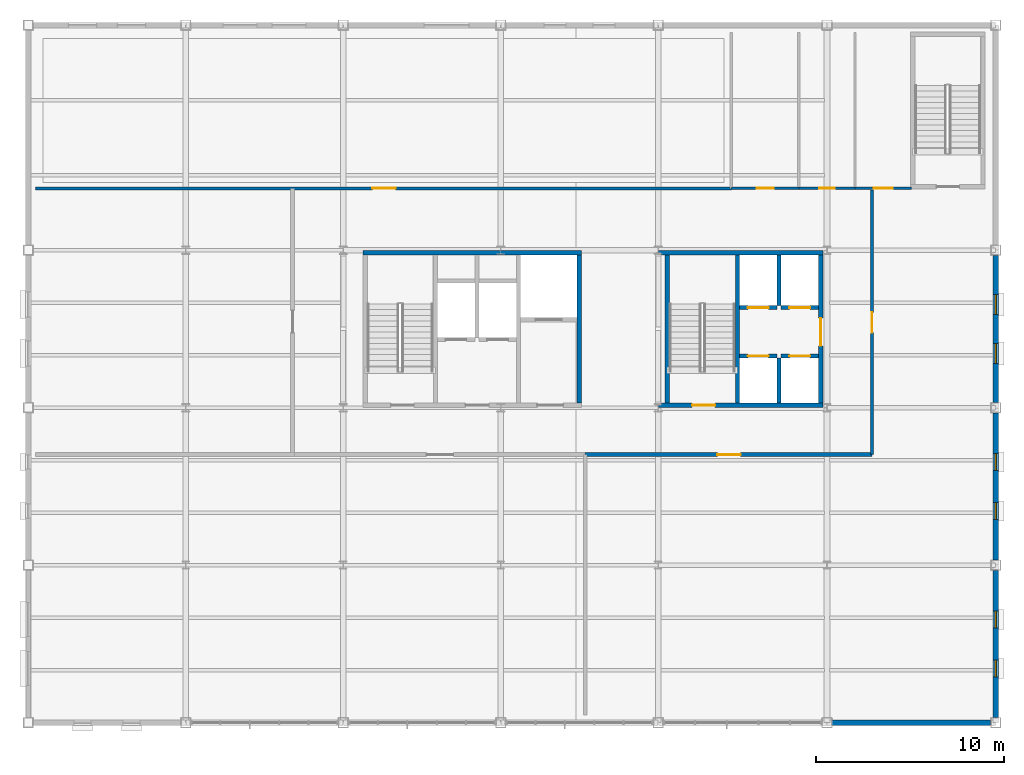
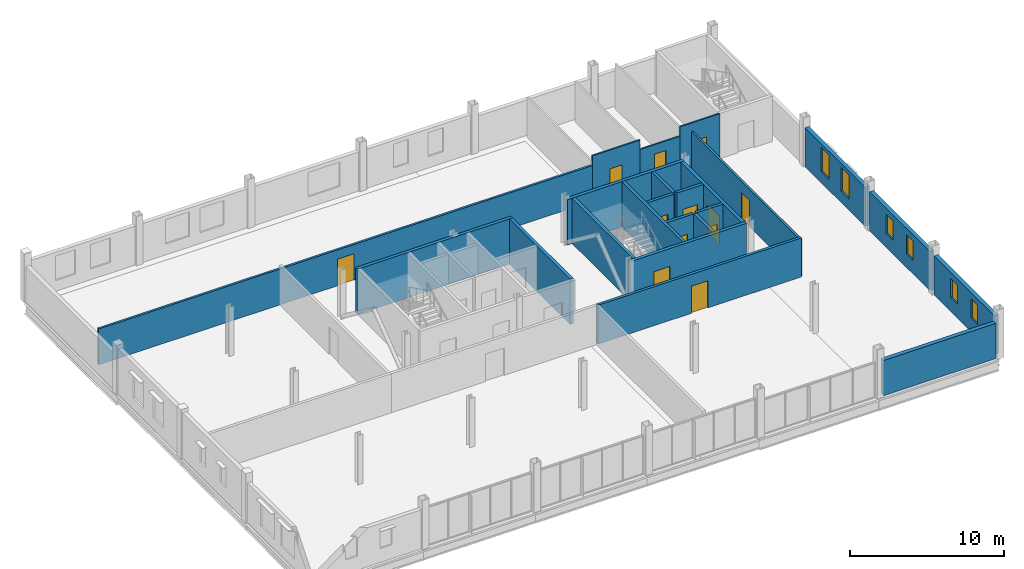
# One storey, part 13 of 17: 23 walls, 12 doors, 6 windows, 18 openings.
"""IFC4 building model written with IfcOpenShell, lengths in metres."""

import ifcopenshell
import ifcopenshell.guid

model = None  # the IFC model being written
_history = None  # IfcOwnerHistory: only IFC2X3 demands one
_inside = {}  # id of a spatial element -> (the spatial element, [elements in it])
_under = {}  # id of a project, library or spatial element -> (it, [spatial elements below it])
_declared = {}  # id of a project -> (the project, [libraries it declares])
_typed = {}  # id of a type object -> (the type object, [elements of that type])
_made_of = {}  # id of a material, layer set ... -> (it, [elements and type objects made of it])


def new_model(schema):
    """Start an empty IFC model of exactly this schema.

    Asked for "IFC4X3", IfcOpenShell would pick the latest addendum, in which some entities
    have other attributes; the version numbers below select the first issue.
    IFC2X3 requires an IfcOwnerHistory on every rooted entity: one is made here for all.
    """
    global model, _history
    if schema == "IFC4X3":
        model = ifcopenshell.file(schema_version=(4, 3, 0, 0))
    else:
        model = ifcopenshell.file(schema=schema)
    _inside.clear()
    _under.clear()
    _declared.clear()
    _typed.clear()
    _made_of.clear()
    _history = None
    if model.schema == "IFC2X3":
        org = make("IfcOrganization", Name="unknown")
        user = make(
            "IfcPersonAndOrganization",
            ThePerson=make("IfcPerson", FamilyName="unknown"),
            TheOrganization=org,
        )
        app = make(
            "IfcApplication",
            ApplicationDeveloper=org,
            Version="unknown",
            ApplicationFullName="unknown",
            ApplicationIdentifier="unknown",
        )
        _history = make(
            "IfcOwnerHistory",
            OwningUser=user,
            OwningApplication=app,
            ChangeAction="ADDED",
            CreationDate=0,
        )
    return model


def make(cls, **values):
    """One entity of the class cls with the attributes given. An attribute that is None is left unset."""
    return model.create_entity(
        cls, **{name: value for name, value in values.items() if value is not None}
    )


def rooted(cls, **values):
    """An entity with a GlobalId (a new one), such as an element, a storey or a relation."""
    return make(cls, GlobalId=ifcopenshell.guid.new(), OwnerHistory=_history, **values)


def si_unit(unit_type, name, prefix=None):
    """IfcSIUnit, for example si_unit("LENGTHUNIT", "METRE", prefix="MILLI")."""
    return make("IfcSIUnit", UnitType=unit_type, Prefix=prefix, Name=name)


def assignment(units):
    """IfcUnitAssignment: the units of a project."""
    return None if units is None else make("IfcUnitAssignment", Units=units)


def point(xyz):
    """IfcCartesianPoint."""
    return None if xyz is None else make("IfcCartesianPoint", Coordinates=xyz)


def direction(xyz):
    """IfcDirection."""
    return None if xyz is None else make("IfcDirection", DirectionRatios=xyz)


def frame(location, z_axis=None, x_axis=None):
    """IfcAxis2Placement3D, a coordinate frame: its origin and axes. An axis left out is left unset."""
    return make(
        "IfcAxis2Placement3D",
        Location=point(location),
        Axis=direction(z_axis),
        RefDirection=direction(x_axis),
    )


def frame_2d(location, x_axis=None):
    """IfcAxis2Placement2D, a coordinate frame in the plane: its origin and x axis."""
    return make(
        "IfcAxis2Placement2D", Location=point(location), RefDirection=direction(x_axis)
    )


def origin():
    """The frame at (0, 0, 0) with its axes left unset."""
    return frame((0.0, 0.0, 0.0))


def place(relative_to, where):
    """IfcLocalPlacement: puts the frame where relative to a parent placement (None: the world)."""
    return make(
        "IfcLocalPlacement", PlacementRelTo=relative_to, RelativePlacement=where
    )


def context(
    kind, dimensions, precision=None, world=None, true_north=None, identifier=None
):
    """IfcGeometricRepresentationContext, for example the 3D "Model" context."""
    return make(
        "IfcGeometricRepresentationContext",
        ContextIdentifier=identifier,
        ContextType=kind,
        CoordinateSpaceDimension=dimensions,
        Precision=precision,
        WorldCoordinateSystem=world,
        TrueNorth=true_north,
    )


def subcontext(parent, identifier, kind, view, scale=None):
    """IfcGeometricRepresentationSubContext, for example "Body" below "Model"."""
    return make(
        "IfcGeometricRepresentationSubContext",
        ContextIdentifier=identifier,
        ContextType=kind,
        ParentContext=parent,
        TargetScale=scale,
        TargetView=view,
    )


def project(units=None, contexts=None):
    """IfcProject with its units and contexts."""
    return rooted(
        "IfcProject",
        Name="project",
        RepresentationContexts=contexts,
        UnitsInContext=assignment(units),
    )


def spatial(cls, under=None, at=None, **own):
    """A site, building, storey or space (cls), placed at a placement, below another one or the project."""
    s = rooted(cls, ObjectPlacement=at, **own)
    if under is not None:
        _under.setdefault(under.id(), (under, []))[1].append(s)
    return s


def profile(cls, at=None, kind="AREA", **sizes):
    """A parametric profile (cls). Its sizes go by their IFC names, for example OverallWidth=200.0."""
    return make(cls, ProfileType=kind, Position=at, **sizes)


def rectangle(**sizes):
    """IfcRectangleProfileDef."""
    return profile("IfcRectangleProfileDef", **sizes)


def extrude(swept, where, along, depth):
    """IfcExtrudedAreaSolid: the profile swept, set in the frame where, extruded along a direction by depth."""
    return make(
        "IfcExtrudedAreaSolid",
        SweptArea=swept,
        Position=where,
        ExtrudedDirection=direction(along),
        Depth=depth,
    )


def shape(context_of_items, identifier, shape_type, items):
    """IfcShapeRepresentation: the items that make up one representation, for example the "Body"."""
    return make(
        "IfcShapeRepresentation",
        ContextOfItems=context_of_items,
        RepresentationIdentifier=identifier,
        RepresentationType=shape_type,
        Items=items,
    )


def material(Name=None, Category=None):
    """IfcMaterial."""
    return make("IfcMaterial", Name=Name, Category=Category)


def layer(
    of_material, thickness, ventilated=None, Name=None, Category=None, Priority=None
):
    """IfcMaterialLayer: one layer of a wall or slab, of a material (None: an air gap)."""
    return make(
        "IfcMaterialLayer",
        Material=of_material,
        LayerThickness=thickness,
        IsVentilated=ventilated,
        Name=Name,
        Category=Category,
        Priority=Priority,
    )


def layer_set(layers, Name=None):
    """IfcMaterialLayerSet."""
    return make("IfcMaterialLayerSet", MaterialLayers=layers, LayerSetName=Name)


def made_of(thing, what):
    """Note that an element or type object is made of a material, layer set ...; save() writes the relation."""
    if what is not None:
        _made_of.setdefault(what.id(), (what, []))[1].append(thing)
    return thing


def type_object(cls, material=None, **own):
    """A type object (cls), such as IfcWallType, which elements share."""
    return made_of(rooted(cls, **own), material)


def element(
    cls,
    number,
    at=None,
    inside=None,
    cuts=None,
    type_object=None,
    material=None,
    context=None,
    identifier="Body",
    shape_type=None,
    held_by="IfcProductDefinitionShape",
    body=None,
    shapes=None,
    **own,
):
    """One element of the class cls, such as IfcWall. Its Tag is "e" and its number.

    at: its placement. inside: the storey or other place that contains it. cuts: it is an
    opening in that element (IfcRelVoidsElement). A single representation is given by context,
    identifier, shape_type and body (its items); several are given by shapes. held_by: the class
    of the entity that holds the representations. save() writes the other relations.
    """
    e = rooted(cls, Tag="e%d" % number, ObjectPlacement=at, **own)
    if body is not None:
        shapes = [shape(context, identifier, shape_type, body)]
    if shapes is not None:
        e.Representation = make(held_by, Representations=shapes)
    if inside is not None:
        _inside.setdefault(inside.id(), (inside, []))[1].append(e)
    if cuts is not None:
        rooted(
            "IfcRelVoidsElement", RelatingBuildingElement=cuts, RelatedOpeningElement=e
        )
    if type_object is not None:
        _typed.setdefault(type_object.id(), (type_object, []))[1].append(e)
    return made_of(e, material)


def fill(opening, filler):
    """IfcRelFillsElement: the door or window that sits in an opening."""
    return rooted(
        "IfcRelFillsElement",
        RelatingOpeningElement=opening,
        RelatedBuildingElement=filler,
    )


def aggregate(whole, parts):
    """IfcRelAggregates: a whole, such as a stair, and the parts it consists of."""
    return rooted("IfcRelAggregates", RelatingObject=whole, RelatedObjects=parts)


def save(model, path):
    """Write the relations noted so far, then the file.

    IfcRelAggregates (storeys below a building ...), IfcRelContainedInSpatialStructure (elements
    in a storey), IfcRelDefinesByType, IfcRelAssociatesMaterial and IfcRelDeclares: one each for
    every whole, place, type object, material and project.
    """
    for whole, parts in _under.values():
        aggregate(whole, parts)
    for where, things in _inside.values():
        rooted(
            "IfcRelContainedInSpatialStructure",
            RelatedElements=things,
            RelatingStructure=where,
        )
    for kind, things in _typed.values():
        rooted("IfcRelDefinesByType", RelatedObjects=things, RelatingType=kind)
    for what, things in _made_of.values():
        rooted("IfcRelAssociatesMaterial", RelatedObjects=things, RelatingMaterial=what)
    for by, libraries in _declared.values():
        rooted("IfcRelDeclares", RelatingContext=by, RelatedDefinitions=libraries)
    model.write(path)


model = new_model("IFC4")

# Units and contexts
model_context = context("Model", 3, precision=1e-05, world=origin(), true_north=direction((0.0, 1.0)))
body_context = subcontext(model_context, "Body", "Model", "MODEL_VIEW")
ifc_project = project(units=[si_unit("LENGTHUNIT", "METRE"), si_unit("AREAUNIT", "SQUARE_METRE"), si_unit("VOLUMEUNIT", "CUBIC_METRE"), si_unit("PLANEANGLEUNIT", "RADIAN"), si_unit("MASSUNIT", "GRAM", prefix="KILO")], contexts=[model_context])

# Site, building, storey
site_placement = place(None, origin())
site = spatial("IfcSite", under=ifc_project, at=site_placement, CompositionType="ELEMENT")
building_placement = place(site_placement, origin())
building = spatial("IfcBuilding", under=site, at=building_placement, Name="Yukiwa Park Conservatory and Herbarium", CompositionType="ELEMENT")
storey_placement = place(building_placement, frame((0.0, 0.0, 17.10009765625)))
storey = spatial("IfcBuildingStorey", under=building, at=storey_placement, Name="L04", CompositionType="ELEMENT", Elevation=17.10009765625)

# Walls
ifc_material_1 = material(Name="Concrete C40", Category="concrete")
ifc_layer_1 = layer(ifc_material_1, 0.219970703125)
ifc_layer_set_1 = layer_set([ifc_layer_1], Name="Concrete C40")
wall_type_1 = type_object("IfcWallType", Name="WL-CORE-RC220", PredefinedType="SHEAR", material=ifc_layer_set_1)
wall_1_placement = place(storey_placement, frame((154.219970703125, 95.050048828125, 0.0), z_axis=(0.0, 0.0, 1.0), x_axis=(0.0, 1.0, 0.0)))
element("IfcWall", 1, at=wall_1_placement, inside=storey, type_object=wall_type_1, Name="L04 core shear wall 361", PredefinedType="SHEAR", context=body_context, shape_type="SweptSolid", body=[
    extrude(rectangle(XDim=7.89990234375, YDim=0.219970703125, at=frame_2d((3.949951171875, 0.0))), origin(), (0.0, 0.0, 1.0), 3.599853515625),
])
wall_2_placement = place(storey_placement, frame((156.43994140625, 100.25, 0.0), z_axis=(0.0, 0.0, 1.0), x_axis=(0.0, 1.0, 0.0)))
element("IfcWall", 2, at=wall_2_placement, inside=storey, type_object=wall_type_1, Name="L04 core shear wall 363", PredefinedType="SHEAR", context=body_context, shape_type="SweptSolid", body=[
    extrude(rectangle(XDim=2.699951171875, YDim=0.219970703125, at=frame_2d((1.35009765625, 0.0))), origin(), (0.0, 0.0, 1.0), 3.599853515625),
])

# Wall, opening, door
wall_3_placement = place(storey_placement, frame((154.330078125, 100.139892578125, 0.0), z_axis=(0.0, 0.0, 1.0), x_axis=(1.0, 0.0, 0.0)))
wall_3 = element("IfcWall", 3, at=wall_3_placement, inside=storey, type_object=wall_type_1, Name="L04 core shear wall 364", PredefinedType="SHEAR", context=body_context, shape_type="SweptSolid", body=[
    extrude(rectangle(XDim=2.0, YDim=0.219970703125, at=frame_2d((1.0, 0.0))), origin(), (0.0, 0.0, 1.0), 3.599853515625),
])
opening_1_placement = place(wall_3_placement, frame((0.449951171875, 0.0, 0.0)))
opening_1 = element("IfcOpeningElement", 4, at=opening_1_placement, cuts=wall_3, Name="Opening LD-01", PredefinedType="OPENING", context=body_context, shape_type="SweptSolid", body=[
    extrude(rectangle(XDim=1.10009765625, YDim=2.14990234375, at=frame_2d((0.550048828125, 1.074951171875))), frame((0.0, 0.1201171875, 0.0), z_axis=(0.0, -1.0, 0.0), x_axis=(1.0, 0.0, 0.0)), (0.0, 0.0, 1.0), 0.239990234375),
])
ifc_material_2 = material(Name="Steel Q235B", Category="steel")
door_type_1 = type_object("IfcDoorType", Name="DR-LIFT-LD1100", OperationType="SLIDING_TO_LEFT", PredefinedType="DOOR", material=ifc_material_2)
door_1_placement = place(opening_1_placement, origin())
door_1 = element("IfcDoor", 5, at=door_1_placement, inside=storey, type_object=door_type_1, Name="L04 Passenger Lift LP1 sliding landing door", OperationType="SLIDING_TO_LEFT", OverallHeight=2.14990234375, OverallWidth=1.10009765625, PredefinedType="DOOR", context=body_context, shape_type="SweptSolid", body=[
    extrude(rectangle(XDim=1.10009765625, YDim=2.14990234375, at=frame_2d((0.550048828125, 1.074951171875))), frame((0.0, 0.02490234375, 0.0), z_axis=(0.0, -1.0, 0.0), x_axis=(1.0, 0.0, 0.0)), (0.0, 0.0, 1.0), 0.050048828125),
])
fill(opening_1, door_1)

wall_4_placement = place(storey_placement, frame((156.550048828125, 100.139892578125, 0.0), z_axis=(0.0, 0.0, 1.0), x_axis=(1.0, 0.0, 0.0)))
wall_4 = element("IfcWall", 6, at=wall_4_placement, inside=storey, type_object=wall_type_1, Name="L04 core shear wall 365", PredefinedType="SHEAR", context=body_context, shape_type="SweptSolid", body=[
    extrude(rectangle(XDim=2.0, YDim=0.219970703125, at=frame_2d((1.0, 0.0))), origin(), (0.0, 0.0, 1.0), 3.599853515625),
])
opening_2_placement = place(wall_4_placement, frame((0.449951171875, 0.0, 0.0)))
opening_2 = element("IfcOpeningElement", 7, at=opening_2_placement, cuts=wall_4, Name="Opening LD-01", PredefinedType="OPENING", context=body_context, shape_type="SweptSolid", body=[
    extrude(rectangle(XDim=1.10009765625, YDim=2.14990234375, at=frame_2d((0.550048828125, 1.074951171875))), frame((0.0, 0.1201171875, 0.0), z_axis=(0.0, -1.0, 0.0), x_axis=(1.0, 0.0, 0.0)), (0.0, 0.0, 1.0), 0.239990234375),
])
door_2_placement = place(opening_2_placement, origin())
door_2 = element("IfcDoor", 8, at=door_2_placement, inside=storey, type_object=door_type_1, Name="L04 Passenger Lift LP2 sliding landing door", OperationType="SLIDING_TO_LEFT", OverallHeight=2.14990234375, OverallWidth=1.10009765625, PredefinedType="DOOR", context=body_context, shape_type="SweptSolid", body=[
    extrude(rectangle(XDim=1.10009765625, YDim=2.14990234375, at=frame_2d((0.550048828125, 1.074951171875))), frame((0.0, 0.02490234375, 0.0), z_axis=(0.0, -1.0, 0.0), x_axis=(1.0, 0.0, 0.0)), (0.0, 0.0, 1.0), 0.050048828125),
])
fill(opening_2, door_2)

# Wall
wall_5_placement = place(storey_placement, frame((156.43994140625, 95.050048828125, 0.0), z_axis=(0.0, 0.0, 1.0), x_axis=(0.0, 1.0, 0.0)))
element("IfcWall", 9, at=wall_5_placement, inside=storey, type_object=wall_type_1, Name="L04 core shear wall 366", PredefinedType="SHEAR", context=body_context, shape_type="SweptSolid", body=[
    extrude(rectangle(XDim=2.39990234375, YDim=0.219970703125, at=frame_2d((1.199951171875, 0.0))), origin(), (0.0, 0.0, 1.0), 3.599853515625),
])

# Wall, opening, door
wall_6_placement = place(storey_placement, frame((154.330078125, 97.56005859375, 0.0), z_axis=(0.0, 0.0, 1.0), x_axis=(1.0, 0.0, 0.0)))
wall_6 = element("IfcWall", 10, at=wall_6_placement, inside=storey, type_object=wall_type_1, Name="L04 core shear wall 367", PredefinedType="SHEAR", context=body_context, shape_type="SweptSolid", body=[
    extrude(rectangle(XDim=2.0, YDim=0.219970703125, at=frame_2d((1.0, 0.0))), origin(), (0.0, 0.0, 1.0), 3.599853515625),
])
opening_3_placement = place(wall_6_placement, frame((0.449951171875, 0.0, 0.0)))
opening_3 = element("IfcOpeningElement", 11, at=opening_3_placement, cuts=wall_6, Name="Opening LD-01", PredefinedType="OPENING", context=body_context, shape_type="SweptSolid", body=[
    extrude(rectangle(XDim=1.10009765625, YDim=2.14990234375, at=frame_2d((0.550048828125, 1.074951171875))), frame((0.0, 0.1201171875, 0.0), z_axis=(0.0, -1.0, 0.0), x_axis=(1.0, 0.0, 0.0)), (0.0, 0.0, 1.0), 0.239990234375),
])
door_3_placement = place(opening_3_placement, origin())
door_3 = element("IfcDoor", 12, at=door_3_placement, inside=storey, type_object=door_type_1, Name="L04 Passenger Lift LP3 sliding landing door", OperationType="SLIDING_TO_LEFT", OverallHeight=2.14990234375, OverallWidth=1.10009765625, PredefinedType="DOOR", context=body_context, shape_type="SweptSolid", body=[
    extrude(rectangle(XDim=1.10009765625, YDim=2.14990234375, at=frame_2d((0.550048828125, 1.074951171875))), frame((0.0, 0.02490234375, 0.0), z_axis=(0.0, -1.0, 0.0), x_axis=(1.0, 0.0, 0.0)), (0.0, 0.0, 1.0), 0.050048828125),
])
fill(opening_3, door_3)

wall_7_placement = place(storey_placement, frame((156.550048828125, 97.56005859375, 0.0), z_axis=(0.0, 0.0, 1.0), x_axis=(1.0, 0.0, 0.0)))
wall_7 = element("IfcWall", 13, at=wall_7_placement, inside=storey, type_object=wall_type_1, Name="L04 core shear wall 368", PredefinedType="SHEAR", context=body_context, shape_type="SweptSolid", body=[
    extrude(rectangle(XDim=2.0, YDim=0.219970703125, at=frame_2d((1.0, 0.0))), origin(), (0.0, 0.0, 1.0), 3.599853515625),
])
opening_4_placement = place(wall_7_placement, frame((0.449951171875, 0.0, 0.0)))
opening_4 = element("IfcOpeningElement", 14, at=opening_4_placement, cuts=wall_7, Name="Opening LD-01", PredefinedType="OPENING", context=body_context, shape_type="SweptSolid", body=[
    extrude(rectangle(XDim=1.10009765625, YDim=2.14990234375, at=frame_2d((0.550048828125, 1.074951171875))), frame((0.0, 0.1201171875, 0.0), z_axis=(0.0, -1.0, 0.0), x_axis=(1.0, 0.0, 0.0)), (0.0, 0.0, 1.0), 0.239990234375),
])
door_4_placement = place(opening_4_placement, origin())
door_4 = element("IfcDoor", 15, at=door_4_placement, inside=storey, type_object=door_type_1, Name="L04 Passenger Lift LP4 sliding landing door", OperationType="SLIDING_TO_LEFT", OverallHeight=2.14990234375, OverallWidth=1.10009765625, PredefinedType="DOOR", context=body_context, shape_type="SweptSolid", body=[
    extrude(rectangle(XDim=1.10009765625, YDim=2.14990234375, at=frame_2d((0.550048828125, 1.074951171875))), frame((0.0, 0.02490234375, 0.0), z_axis=(0.0, -1.0, 0.0), x_axis=(1.0, 0.0, 0.0)), (0.0, 0.0, 1.0), 0.050048828125),
])
fill(opening_4, door_4)

# Walls
ifc_material_3 = material(Name="Concrete C50", Category="concrete")
ifc_layer_2 = layer(ifc_material_3, 0.239990234375)
ifc_layer_set_2 = layer_set([ifc_layer_2], Name="Concrete C50")
wall_type_2 = type_object("IfcWallType", Name="WL-CORE-RC240", PredefinedType="SHEAR", material=ifc_layer_set_2)
wall_8_placement = place(storey_placement, frame((134.25, 103.070068359375, 0.0), z_axis=(0.0, 0.0, 1.0), x_axis=(1.0, 0.0, 0.0)))
element("IfcWall", 16, at=wall_8_placement, inside=storey, type_object=wall_type_2, Name="L04 core shear wall 347", PredefinedType="SHEAR", context=body_context, shape_type="SweptSolid", body=[
    extrude(rectangle(XDim=11.64990234375, YDim=0.239990234375, at=frame_2d((5.824951171875, 0.0))), origin(), (0.0, 0.0, 1.0), 3.599853515625),
])
wall_9_placement = place(storey_placement, frame((145.780029296875, 95.050048828125, 0.0), z_axis=(0.0, 0.0, 1.0), x_axis=(0.0, 1.0, 0.0)))
element("IfcWall", 17, at=wall_9_placement, inside=storey, type_object=wall_type_2, Name="L04 core shear wall 352", PredefinedType="SHEAR", context=body_context, shape_type="SweptSolid", body=[
    extrude(rectangle(XDim=7.89990234375, YDim=0.239990234375, at=frame_2d((3.949951171875, 0.0))), origin(), (0.0, 0.0, 1.0), 3.599853515625),
])

# Wall, opening, door
wall_10_placement = place(storey_placement, frame((150.02001953125, 94.929931640625, 0.0), z_axis=(0.0, 0.0, 1.0), x_axis=(1.0, 0.0, 0.0)))
wall_10 = element("IfcWall", 18, at=wall_10_placement, inside=storey, type_object=wall_type_2, Name="L04 core shear wall 358", PredefinedType="SHEAR", context=body_context, shape_type="SweptSolid", body=[
    extrude(rectangle(XDim=8.77001953125, YDim=0.239990234375, at=frame_2d((4.385009765625, 0.0))), origin(), (0.0, 0.0, 1.0), 3.599853515625),
])
opening_5_placement = place(wall_10_placement, frame((1.7900390625, 0.0, 0.0)))
opening_5 = element("IfcOpeningElement", 19, at=opening_5_placement, cuts=wall_10, Name="Opening SD-01", PredefinedType="OPENING", context=body_context, shape_type="SweptSolid", body=[
    extrude(rectangle(XDim=1.219970703125, YDim=2.179931640625, at=frame_2d((0.60986328125, 1.08984375))), frame((0.0, 0.1298828125, 0.0), z_axis=(0.0, -1.0, 0.0), x_axis=(1.0, 0.0, 0.0)), (0.0, 0.0, 1.0), 0.260009765625),
])
ifc_material_4 = material(Name="Steel Q235B", Category="steel")
door_type_2 = type_object("IfcDoorType", Name="DR-STAIR-FD90-1200", OperationType="SINGLE_SWING_LEFT", PredefinedType="DOOR", material=ifc_material_4)
door_5_placement = place(opening_5_placement, origin())
door_5 = element("IfcDoor", 20, at=door_5_placement, inside=storey, type_object=door_type_2, Name="L04 Stairwell ST-T2 fire door", OperationType="SINGLE_SWING_LEFT", OverallHeight=2.179931640625, OverallWidth=1.219970703125, PredefinedType="DOOR", context=body_context, shape_type="SweptSolid", body=[
    extrude(rectangle(XDim=1.219970703125, YDim=2.179931640625, at=frame_2d((0.60986328125, 1.08984375))), frame((0.0, 0.02490234375, 0.0), z_axis=(0.0, -1.0, 0.0), x_axis=(1.0, 0.0, 0.0)), (0.0, 0.0, 1.0), 0.050048828125),
])
fill(opening_5, door_5)

# Walls
wall_11_placement = place(storey_placement, frame((150.02001953125, 103.070068359375, 0.0), z_axis=(0.0, 0.0, 1.0), x_axis=(1.0, 0.0, 0.0)))
element("IfcWall", 21, at=wall_11_placement, inside=storey, type_object=wall_type_2, Name="L04 core shear wall 359", PredefinedType="SHEAR", context=body_context, shape_type="SweptSolid", body=[
    extrude(rectangle(XDim=8.77001953125, YDim=0.239990234375, at=frame_2d((4.385009765625, 0.0))), origin(), (0.0, 0.0, 1.0), 3.599853515625),
])
wall_12_placement = place(storey_placement, frame((150.47998046875, 95.050048828125, 0.0), z_axis=(0.0, 0.0, 1.0), x_axis=(0.0, 1.0, 0.0)))
element("IfcWall", 22, at=wall_12_placement, inside=storey, type_object=wall_type_2, Name="L04 core shear wall 360", PredefinedType="SHEAR", context=body_context, shape_type="SweptSolid", body=[
    extrude(rectangle(XDim=7.89990234375, YDim=0.239990234375, at=frame_2d((3.949951171875, 0.0))), origin(), (0.0, 0.0, 1.0), 3.599853515625),
])

# Wall, opening, door
wall_13_placement = place(storey_placement, frame((158.669921875, 95.050048828125, 0.0), z_axis=(0.0, 0.0, 1.0), x_axis=(0.0, 1.0, 0.0)))
wall_13 = element("IfcWall", 23, at=wall_13_placement, inside=storey, type_object=wall_type_2, Name="L04 core shear wall 362", PredefinedType="SHEAR", context=body_context, shape_type="SweptSolid", body=[
    extrude(rectangle(XDim=7.89990234375, YDim=0.239990234375, at=frame_2d((3.949951171875, 0.0))), origin(), (0.0, 0.0, 1.0), 3.599853515625),
])
opening_6_placement = place(wall_13_placement, frame((3.050048828125, 0.0, 0.0)))
opening_6 = element("IfcOpeningElement", 24, at=opening_6_placement, cuts=wall_13, Name="Opening FD-07", PredefinedType="OPENING", context=body_context, shape_type="SweptSolid", body=[
    extrude(rectangle(XDim=1.47998046875, YDim=2.219970703125, at=frame_2d((0.739990234375, 1.10986328125))), frame((0.0, 0.1298828125, 0.0), z_axis=(0.0, -1.0, 0.0), x_axis=(1.0, 0.0, 0.0)), (0.0, 0.0, 1.0), 0.260009765625),
])
ifc_material_5 = material(Name="Steel Q235B", Category="steel")
door_type_3 = type_object("IfcDoorType", Name="DR-FIRE-FD60-1500", OperationType="DOUBLE_DOOR_SINGLE_SWING", PredefinedType="DOOR", material=ifc_material_5)
door_6_placement = place(opening_6_placement, origin())
door_6 = element("IfcDoor", 25, at=door_6_placement, inside=storey, type_object=door_type_3, Name="L04 Tower Passenger Lift Lobby double fire door", OperationType="DOUBLE_DOOR_SINGLE_SWING", OverallHeight=2.219970703125, OverallWidth=1.47998046875, PredefinedType="DOOR", context=body_context, shape_type="SweptSolid", body=[
    extrude(rectangle(XDim=1.47998046875, YDim=2.219970703125, at=frame_2d((0.739990234375, 1.10986328125))), frame((0.0, 0.02490234375, 0.0), z_axis=(0.0, -1.0, 0.0), x_axis=(1.0, 0.0, 0.0)), (0.0, 0.0, 1.0), 0.050048828125),
])
fill(opening_6, door_6)

# Wall, openings, windows
ifc_material_6 = material(Name="Pale Granite Cladding", Category="masonry")
ifc_layer_3 = layer(ifc_material_6, 0.300048828125)
ifc_layer_set_3 = layer_set([ifc_layer_3], Name="Pale Granite Cladding")
wall_type_3 = type_object("IfcWallType", Name="WL-EXT-GRAN-300", PredefinedType="SOLIDWALL", material=ifc_layer_set_3)
wall_14_placement = place(storey_placement, frame((168.0, 78.27490234375, 0.0), z_axis=(0.0, 0.0, 1.0), x_axis=(0.0, 1.0, 0.0)))
wall_14 = element("IfcWall", 26, at=wall_14_placement, inside=storey, type_object=wall_type_3, Name="L04 exterior envelope wall 259", PredefinedType="SOLIDWALL", context=body_context, shape_type="SweptSolid", body=[
    extrude(rectangle(XDim=7.85009765625, YDim=0.300048828125, at=frame_2d((3.925048828125, 0.0))), origin(), (0.0, 0.0, 1.0), 3.099853515625),
])
opening_7_placement = place(wall_14_placement, frame((2.1669921875, 0.0, 1.10009765625)))
opening_7 = element("IfcOpeningElement", 27, at=opening_7_placement, cuts=wall_14, Name="Opening W-11", PredefinedType="OPENING", context=body_context, shape_type="SweptSolid", body=[
    extrude(rectangle(XDim=0.89990234375, YDim=1.5, at=frame_2d((0.449951171875, 0.75))), frame((0.0, 0.16015625, 0.0), z_axis=(0.0, -1.0, 0.0), x_axis=(1.0, 0.0, 0.0)), (0.0, 0.0, 1.0), 0.320068359375),
])
opening_8_placement = place(wall_14_placement, frame((4.782958984375, 0.0, 1.10009765625)))
opening_8 = element("IfcOpeningElement", 28, at=opening_8_placement, cuts=wall_14, Name="Opening W-11", PredefinedType="OPENING", context=body_context, shape_type="SweptSolid", body=[
    extrude(rectangle(XDim=0.89990234375, YDim=1.5, at=frame_2d((0.449951171875, 0.75))), frame((0.0, 0.16015625, 0.0), z_axis=(0.0, -1.0, 0.0), x_axis=(1.0, 0.0, 0.0)), (0.0, 0.0, 1.0), 0.320068359375),
])
ifc_material_7 = material(Name="Triple Low-E Insulated Glass", Category="glass")
window_type_1 = type_object("IfcWindowType", Name="WN-HB-0900X1500", PartitioningType="SINGLE_PANEL", PredefinedType="WINDOW", material=ifc_material_7)
window_1_placement = place(opening_7_placement, origin())
window_1 = element("IfcWindow", 29, at=window_1_placement, inside=storey, type_object=window_type_1, Name="L04 deep-reveal triple-glazed window 198", OverallHeight=1.5, OverallWidth=0.89990234375, PartitioningType="SINGLE_PANEL", PredefinedType="WINDOW", context=body_context, shape_type="SweptSolid", body=[
    extrude(rectangle(XDim=0.89990234375, YDim=1.5, at=frame_2d((0.449951171875, 0.75))), frame((0.0, 0.030029296875, 0.0), z_axis=(0.0, -1.0, 0.0), x_axis=(1.0, 0.0, 0.0)), (0.0, 0.0, 1.0), 0.06005859375),
])
fill(opening_7, window_1)
window_2_placement = place(opening_8_placement, origin())
window_2 = element("IfcWindow", 30, at=window_2_placement, inside=storey, type_object=window_type_1, Name="L04 deep-reveal triple-glazed window 199", OverallHeight=1.5, OverallWidth=0.89990234375, PartitioningType="SINGLE_PANEL", PredefinedType="WINDOW", context=body_context, shape_type="SweptSolid", body=[
    extrude(rectangle(XDim=0.89990234375, YDim=1.5, at=frame_2d((0.449951171875, 0.75))), frame((0.0, 0.030029296875, 0.0), z_axis=(0.0, -1.0, 0.0), x_axis=(1.0, 0.0, 0.0)), (0.0, 0.0, 1.0), 0.06005859375),
])
fill(opening_8, window_2)

wall_15_placement = place(storey_placement, frame((168.0, 86.675048828125, 0.0), z_axis=(0.0, 0.0, 1.0), x_axis=(0.0, 1.0, 0.0)))
wall_15 = element("IfcWall", 31, at=wall_15_placement, inside=storey, type_object=wall_type_3, Name="L04 exterior envelope wall 260", PredefinedType="SOLIDWALL", context=body_context, shape_type="SweptSolid", body=[
    extrude(rectangle(XDim=7.849853515625, YDim=0.300048828125, at=frame_2d((3.9248046875, 0.0))), origin(), (0.0, 0.0, 1.0), 3.099853515625),
])
opening_9_placement = place(wall_15_placement, frame((2.1669921875, 0.0, 1.10009765625)))
opening_9 = element("IfcOpeningElement", 32, at=opening_9_placement, cuts=wall_15, Name="Opening W-11", PredefinedType="OPENING", context=body_context, shape_type="SweptSolid", body=[
    extrude(rectangle(XDim=0.89990234375, YDim=1.5, at=frame_2d((0.449951171875, 0.75))), frame((0.0, 0.16015625, 0.0), z_axis=(0.0, -1.0, 0.0), x_axis=(1.0, 0.0, 0.0)), (0.0, 0.0, 1.0), 0.320068359375),
])
opening_10_placement = place(wall_15_placement, frame((4.782958984375, 0.0, 1.10009765625)))
opening_10 = element("IfcOpeningElement", 33, at=opening_10_placement, cuts=wall_15, Name="Opening W-11", PredefinedType="OPENING", context=body_context, shape_type="SweptSolid", body=[
    extrude(rectangle(XDim=0.89990234375, YDim=1.5, at=frame_2d((0.449951171875, 0.75))), frame((0.0, 0.16015625, 0.0), z_axis=(0.0, -1.0, 0.0), x_axis=(1.0, 0.0, 0.0)), (0.0, 0.0, 1.0), 0.320068359375),
])
window_3_placement = place(opening_9_placement, origin())
window_3 = element("IfcWindow", 34, at=window_3_placement, inside=storey, type_object=window_type_1, Name="L04 deep-reveal triple-glazed window 200", OverallHeight=1.5, OverallWidth=0.89990234375, PartitioningType="SINGLE_PANEL", PredefinedType="WINDOW", context=body_context, shape_type="SweptSolid", body=[
    extrude(rectangle(XDim=0.89990234375, YDim=1.5, at=frame_2d((0.449951171875, 0.75))), frame((0.0, 0.030029296875, 0.0), z_axis=(0.0, -1.0, 0.0), x_axis=(1.0, 0.0, 0.0)), (0.0, 0.0, 1.0), 0.06005859375),
])
fill(opening_9, window_3)
window_4_placement = place(opening_10_placement, origin())
window_4 = element("IfcWindow", 35, at=window_4_placement, inside=storey, type_object=window_type_1, Name="L04 deep-reveal triple-glazed window 201", OverallHeight=1.5, OverallWidth=0.89990234375, PartitioningType="SINGLE_PANEL", PredefinedType="WINDOW", context=body_context, shape_type="SweptSolid", body=[
    extrude(rectangle(XDim=0.89990234375, YDim=1.5, at=frame_2d((0.449951171875, 0.75))), frame((0.0, 0.030029296875, 0.0), z_axis=(0.0, -1.0, 0.0), x_axis=(1.0, 0.0, 0.0)), (0.0, 0.0, 1.0), 0.06005859375),
])
fill(opening_10, window_4)

wall_16_placement = place(storey_placement, frame((168.0, 95.074951171875, 0.0), z_axis=(0.0, 0.0, 1.0), x_axis=(0.0, 1.0, 0.0)))
wall_16 = element("IfcWall", 36, at=wall_16_placement, inside=storey, type_object=wall_type_3, Name="L04 exterior envelope wall 261", PredefinedType="SOLIDWALL", context=body_context, shape_type="SweptSolid", body=[
    extrude(rectangle(XDim=7.85009765625, YDim=0.300048828125, at=frame_2d((3.925048828125, 0.0))), origin(), (0.0, 0.0, 1.0), 3.099853515625),
])
opening_11_placement = place(wall_16_placement, frame((2.092041015625, 0.0, 0.89990234375)))
opening_11 = element("IfcOpeningElement", 37, at=opening_11_placement, cuts=wall_16, Name="Opening W-02", PredefinedType="OPENING", context=body_context, shape_type="SweptSolid", body=[
    extrude(rectangle(XDim=1.050048828125, YDim=1.89990234375, at=frame_2d((0.52490234375, 0.949951171875))), frame((0.0, 0.16015625, 0.0), z_axis=(0.0, -1.0, 0.0), x_axis=(1.0, 0.0, 0.0)), (0.0, 0.0, 1.0), 0.320068359375),
])
opening_12_placement = place(wall_16_placement, frame((4.7080078125, 0.0, 0.89990234375)))
opening_12 = element("IfcOpeningElement", 38, at=opening_12_placement, cuts=wall_16, Name="Opening W-02", PredefinedType="OPENING", context=body_context, shape_type="SweptSolid", body=[
    extrude(rectangle(XDim=1.050048828125, YDim=1.89990234375, at=frame_2d((0.52490234375, 0.949951171875))), frame((0.0, 0.16015625, 0.0), z_axis=(0.0, -1.0, 0.0), x_axis=(1.0, 0.0, 0.0)), (0.0, 0.0, 1.0), 0.320068359375),
])
ifc_material_8 = material(Name="Triple Low-E Insulated Glass", Category="glass")
window_type_2 = type_object("IfcWindowType", Name="WN-TW-1050X1950", PartitioningType="SINGLE_PANEL", PredefinedType="WINDOW", material=ifc_material_8)
window_5_placement = place(opening_11_placement, origin())
window_5 = element("IfcWindow", 39, at=window_5_placement, inside=storey, type_object=window_type_2, Name="L04 deep-reveal triple-glazed window 202", OverallHeight=1.89990234375, OverallWidth=1.050048828125, PartitioningType="SINGLE_PANEL", PredefinedType="WINDOW", context=body_context, shape_type="SweptSolid", body=[
    extrude(rectangle(XDim=1.050048828125, YDim=1.89990234375, at=frame_2d((0.52490234375, 0.949951171875))), frame((0.0, 0.030029296875, 0.0), z_axis=(0.0, -1.0, 0.0), x_axis=(1.0, 0.0, 0.0)), (0.0, 0.0, 1.0), 0.06005859375),
])
fill(opening_11, window_5)
window_6_placement = place(opening_12_placement, origin())
window_6 = element("IfcWindow", 40, at=window_6_placement, inside=storey, type_object=window_type_2, Name="L04 deep-reveal triple-glazed window 203", OverallHeight=1.89990234375, OverallWidth=1.050048828125, PartitioningType="SINGLE_PANEL", PredefinedType="WINDOW", context=body_context, shape_type="SweptSolid", body=[
    extrude(rectangle(XDim=1.050048828125, YDim=1.89990234375, at=frame_2d((0.52490234375, 0.949951171875))), frame((0.0, 0.030029296875, 0.0), z_axis=(0.0, -1.0, 0.0), x_axis=(1.0, 0.0, 0.0)), (0.0, 0.0, 1.0), 0.06005859375),
])
fill(opening_12, window_6)

# Wall
wall_17_placement = place(storey_placement, frame((159.27490234375, 78.0, 0.0), z_axis=(0.0, 0.0, 1.0), x_axis=(1.0, 0.0, 0.0)))
element("IfcWall", 41, at=wall_17_placement, inside=storey, type_object=wall_type_3, Name="L04 exterior envelope wall 274", PredefinedType="SOLIDWALL", context=body_context, shape_type="SweptSolid", body=[
    extrude(rectangle(XDim=8.4501953125, YDim=0.300048828125, at=frame_2d((4.22509765625, 0.0))), origin(), (0.0, 0.0, 1.0), 2.807861328125),
])

# Wall, opening, door
ifc_material_9 = material(Name="Gypsum Board Partition", Category="gypsum")
ifc_layer_4 = layer(ifc_material_9, 0.199951171875)
ifc_layer_set_4 = layer_set([ifc_layer_4], Name="Gypsum Board Partition")
wall_type_4 = type_object("IfcWallType", Name="WL-PART-FIRE-200", PredefinedType="SOLIDWALL", material=ifc_layer_set_4)
wall_18_placement = place(storey_placement, frame((146.10009765625, 92.300048828125, 0.0), z_axis=(0.0, 0.0, 1.0), x_axis=(1.0, 0.0, 0.0)))
wall_18 = element("IfcWall", 42, at=wall_18_placement, inside=storey, type_object=wall_type_4, Name="L04 interior partition wall 381", PredefinedType="SOLIDWALL", context=body_context, shape_type="SweptSolid", body=[
    extrude(rectangle(XDim=15.2998046875, YDim=0.199951171875, at=frame_2d((7.64990234375, 0.0))), origin(), (0.0, 0.0, 1.0), 3.099853515625),
])
opening_13_placement = place(wall_18_placement, frame((7.050048828125, 0.0, 0.0)))
opening_13 = element("IfcOpeningElement", 43, at=opening_13_placement, cuts=wall_18, Name="Opening FD-02", PredefinedType="OPENING", context=body_context, shape_type="SweptSolid", body=[
    extrude(rectangle(XDim=1.239990234375, YDim=2.14990234375, at=frame_2d((0.6201171875, 1.074951171875))), frame((0.0, 0.10986328125, 0.0), z_axis=(0.0, -1.0, 0.0), x_axis=(1.0, 0.0, 0.0)), (0.0, 0.0, 1.0), 0.219970703125),
])
ifc_material_10 = material(Name="Steel Q235B", Category="steel")
door_type_4 = type_object("IfcDoorType", Name="DR-FIRE-FD90-1200", OperationType="SINGLE_SWING_RIGHT", PredefinedType="DOOR", material=ifc_material_10)
door_7_placement = place(opening_13_placement, origin())
door_7 = element("IfcDoor", 44, at=door_7_placement, inside=storey, type_object=door_type_4, Name="L04 Germplasm Cold Vault fire door", OperationType="SINGLE_SWING_RIGHT", OverallHeight=2.14990234375, OverallWidth=1.239990234375, PredefinedType="DOOR", context=body_context, shape_type="SweptSolid", body=[
    extrude(rectangle(XDim=1.239990234375, YDim=2.14990234375, at=frame_2d((0.6201171875, 1.074951171875))), frame((0.0, 0.02490234375, 0.0), z_axis=(0.0, -1.0, 0.0), x_axis=(1.0, 0.0, 0.0)), (0.0, 0.0, 1.0), 0.050048828125),
])
fill(opening_13, door_7)

ifc_material_11 = material(Name="Gypsum Board Partition", Category="gypsum")
ifc_layer_5 = layer(ifc_material_11, 0.159912109375)
ifc_layer_set_5 = layer_set([ifc_layer_5], Name="Gypsum Board Partition")
wall_type_5 = type_object("IfcWallType", Name="WL-PART-GYP-160", PredefinedType="PARTITIONING", material=ifc_layer_set_5)
wall_19_placement = place(storey_placement, frame((161.39990234375, 92.300048828125, 0.0), z_axis=(0.0, 0.0, 1.0), x_axis=(0.0, 1.0, 0.0)))
wall_19 = element("IfcWall", 45, at=wall_19_placement, inside=storey, type_object=wall_type_5, Name="L04 interior partition wall 379", PredefinedType="PARTITIONING", context=body_context, shape_type="SweptSolid", body=[
    extrude(rectangle(XDim=14.099853515625, YDim=0.159912109375, at=frame_2d((7.0498046875, 0.0))), origin(), (0.0, 0.0, 1.0), 2.949951171875),
])
opening_14_placement = place(wall_19_placement, frame((6.5, 0.0, 0.0)))
opening_14 = element("IfcOpeningElement", 46, at=opening_14_placement, cuts=wall_19, Name="Opening ID-11", PredefinedType="OPENING", context=body_context, shape_type="SweptSolid", body=[
    extrude(rectangle(XDim=1.080078125, YDim=2.080078125, at=frame_2d((0.5400390625, 1.0400390625))), frame((0.0, 0.08984375, 0.0), z_axis=(0.0, -1.0, 0.0), x_axis=(1.0, 0.0, 0.0)), (0.0, 0.0, 1.0), 0.179931640625),
])
ifc_material_12 = material(Name="Charred Larch Cladding", Category="wood")
door_type_5 = type_object("IfcDoorType", Name="DR-INT-1100", OperationType="SINGLE_SWING_RIGHT", PredefinedType="DOOR", material=ifc_material_12)
door_8_placement = place(opening_14_placement, origin())
door_8 = element("IfcDoor", 47, at=door_8_placement, inside=storey, type_object=door_type_5, Name="L04 L04 east room door", OperationType="SINGLE_SWING_RIGHT", OverallHeight=2.080078125, OverallWidth=1.080078125, PredefinedType="DOOR", context=body_context, shape_type="SweptSolid", body=[
    extrude(rectangle(XDim=1.080078125, YDim=2.080078125, at=frame_2d((0.5400390625, 1.0400390625))), frame((0.0, 0.02490234375, 0.0), z_axis=(0.0, -1.0, 0.0), x_axis=(1.0, 0.0, 0.0)), (0.0, 0.0, 1.0), 0.050048828125),
])
fill(opening_14, door_8)

wall_20_placement = place(storey_placement, frame((116.800048828125, 106.5, 0.0), z_axis=(0.0, 0.0, 1.0), x_axis=(1.0, 0.0, 0.0)))
wall_20 = element("IfcWall", 48, at=wall_20_placement, inside=storey, type_object=wall_type_5, Name="L04 interior partition wall 384", PredefinedType="PARTITIONING", context=body_context, shape_type="SweptSolid", body=[
    extrude(rectangle(XDim=37.099853515625, YDim=0.159912109375, at=frame_2d((18.5498046875, 0.0))), origin(), (0.0, 0.0, 1.0), 2.849853515625),
])
opening_15_placement = place(wall_20_placement, frame((17.949951171875, 0.0, 0.0)))
opening_15 = element("IfcOpeningElement", 49, at=opening_15_placement, cuts=wall_20, Name="Opening LD-12", PredefinedType="OPENING", context=body_context, shape_type="SweptSolid", body=[
    extrude(rectangle(XDim=1.25, YDim=2.1201171875, at=frame_2d((0.625, 1.06005859375))), frame((0.0, 0.08984375, 0.0), z_axis=(0.0, -1.0, 0.0), x_axis=(1.0, 0.0, 0.0)), (0.0, 0.0, 1.0), 0.179931640625),
])
ifc_material_13 = material(Name="Steel Q235B", Category="steel")
door_type_6 = type_object("IfcDoorType", Name="DR-LAB-1200", OperationType="SINGLE_SWING_LEFT", PredefinedType="DOOR", material=ifc_material_13)
door_9_placement = place(opening_15_placement, origin())
door_9 = element("IfcDoor", 50, at=door_9_placement, inside=storey, type_object=door_type_6, Name="L04 Germination Research Laboratory door", OperationType="SINGLE_SWING_LEFT", OverallHeight=2.1201171875, OverallWidth=1.25, PredefinedType="DOOR", context=body_context, shape_type="SweptSolid", body=[
    extrude(rectangle(XDim=1.25, YDim=2.1201171875, at=frame_2d((0.625, 1.06005859375))), frame((0.0, 0.02490234375, 0.0), z_axis=(0.0, -1.0, 0.0), x_axis=(1.0, 0.0, 0.0)), (0.0, 0.0, 1.0), 0.050048828125),
])
fill(opening_15, door_9)

ifc_material_14 = material(Name="Gypsum Board Partition", Category="gypsum")
ifc_layer_6 = layer(ifc_material_14, 0.1201171875)
ifc_layer_set_6 = layer_set([ifc_layer_6], Name="Gypsum Board Partition")
wall_type_6 = type_object("IfcWallType", Name="WL-PART-WET-150", PredefinedType="PARTITIONING", material=ifc_layer_set_6)
wall_21_placement = place(storey_placement, frame((153.89990234375, 106.5, 0.0), z_axis=(0.0, 0.0, 1.0), x_axis=(1.0, 0.0, 0.0)))
wall_21 = element("IfcWall", 51, at=wall_21_placement, inside=storey, type_object=wall_type_6, Name="L04 interior partition wall 373", PredefinedType="PARTITIONING", context=body_context, shape_type="SweptSolid", body=[
    extrude(rectangle(XDim=3.60009765625, YDim=0.1201171875, at=frame_2d((1.800048828125, 0.0))), origin(), (0.0, 0.0, 1.0), 3.599853515625),
])
opening_16_placement = place(wall_21_placement, frame((1.35009765625, 0.0, 0.0)))
opening_16 = element("IfcOpeningElement", 52, at=opening_16_placement, cuts=wall_21, Name="Opening ID-09", PredefinedType="OPENING", context=body_context, shape_type="SweptSolid", body=[
    extrude(rectangle(XDim=0.89990234375, YDim=2.10009765625, at=frame_2d((0.449951171875, 1.050048828125))), frame((0.0, 0.070068359375, 0.0), z_axis=(0.0, -1.0, 0.0), x_axis=(1.0, 0.0, 0.0)), (0.0, 0.0, 1.0), 0.14013671875),
])
ifc_material_15 = material(Name="Charred Larch Cladding", Category="wood")
door_type_7 = type_object("IfcDoorType", Name="DR-INT-900", OperationType="SINGLE_SWING_LEFT", PredefinedType="DOOR", material=ifc_material_15)
door_10_placement = place(opening_16_placement, origin())
door_10 = element("IfcDoor", 53, at=door_10_placement, inside=storey, type_object=door_type_7, Name="L04 Public WC door", OperationType="SINGLE_SWING_LEFT", OverallHeight=2.10009765625, OverallWidth=0.89990234375, PredefinedType="DOOR", context=body_context, shape_type="SweptSolid", body=[
    extrude(rectangle(XDim=0.89990234375, YDim=2.10009765625, at=frame_2d((0.449951171875, 1.050048828125))), frame((0.0, 0.02490234375, 0.0), z_axis=(0.0, -1.0, 0.0), x_axis=(1.0, 0.0, 0.0)), (0.0, 0.0, 1.0), 0.050048828125),
])
fill(opening_16, door_10)

wall_22_placement = place(storey_placement, frame((157.5, 106.5, 0.0), z_axis=(0.0, 0.0, 1.0), x_axis=(1.0, 0.0, 0.0)))
wall_22 = element("IfcWall", 54, at=wall_22_placement, inside=storey, type_object=wall_type_6, Name="L04 interior partition wall 374", PredefinedType="PARTITIONING", context=body_context, shape_type="SweptSolid", body=[
    extrude(rectangle(XDim=3.0, YDim=0.1201171875, at=frame_2d((1.5, 0.0))), origin(), (0.0, 0.0, 1.0), 2.849853515625),
])
opening_17_placement = place(wall_22_placement, frame((1.074951171875, 0.0, 0.0)))
opening_17 = element("IfcOpeningElement", 55, at=opening_17_placement, cuts=wall_22, Name="Opening ID-85", PredefinedType="OPENING", context=body_context, shape_type="SweptSolid", body=[
    extrude(rectangle(XDim=0.85009765625, YDim=2.10009765625, at=frame_2d((0.425048828125, 1.050048828125))), frame((0.0, 0.070068359375, 0.0), z_axis=(0.0, -1.0, 0.0), x_axis=(1.0, 0.0, 0.0)), (0.0, 0.0, 1.0), 0.14013671875),
])
ifc_material_16 = material(Name="Charred Larch Cladding", Category="wood")
door_type_8 = type_object("IfcDoorType", Name="DR-INT-850", OperationType="SINGLE_SWING_RIGHT", PredefinedType="DOOR", material=ifc_material_16)
door_11_placement = place(opening_17_placement, origin())
door_11 = element("IfcDoor", 56, at=door_11_placement, inside=storey, type_object=door_type_8, Name="L04 Staff WC door", OperationType="SINGLE_SWING_RIGHT", OverallHeight=2.10009765625, OverallWidth=0.85009765625, PredefinedType="DOOR", context=body_context, shape_type="SweptSolid", body=[
    extrude(rectangle(XDim=0.85009765625, YDim=2.10009765625, at=frame_2d((0.425048828125, 1.050048828125))), frame((0.0, 0.02490234375, 0.0), z_axis=(0.0, -1.0, 0.0), x_axis=(1.0, 0.0, 0.0)), (0.0, 0.0, 1.0), 0.050048828125),
])
fill(opening_17, door_11)

wall_23_placement = place(storey_placement, frame((160.5, 106.5, 0.0), z_axis=(0.0, 0.0, 1.0), x_axis=(1.0, 0.0, 0.0)))
wall_23 = element("IfcWall", 57, at=wall_23_placement, inside=storey, type_object=wall_type_6, Name="L04 interior partition wall 375", PredefinedType="PARTITIONING", context=body_context, shape_type="SweptSolid", body=[
    extrude(rectangle(XDim=3.0, YDim=0.1201171875, at=frame_2d((1.5, 0.0))), origin(), (0.0, 0.0, 1.0), 3.599853515625),
])
opening_18_placement = place(wall_23_placement, frame((1.0, 0.0, 0.0)))
opening_18 = element("IfcOpeningElement", 58, at=opening_18_placement, cuts=wall_23, Name="Opening ID-10", PredefinedType="OPENING", context=body_context, shape_type="SweptSolid", body=[
    extrude(rectangle(XDim=1.0, YDim=2.10009765625, at=frame_2d((0.5, 1.050048828125))), frame((0.0, 0.070068359375, 0.0), z_axis=(0.0, -1.0, 0.0), x_axis=(1.0, 0.0, 0.0)), (0.0, 0.0, 1.0), 0.14013671875),
])
ifc_material_17 = material(Name="Charred Larch Cladding", Category="wood")
door_type_9 = type_object("IfcDoorType", Name="DR-ACC-1000", OperationType="SINGLE_SWING_LEFT", PredefinedType="DOOR", material=ifc_material_17)
door_12_placement = place(opening_18_placement, origin())
door_12 = element("IfcDoor", 59, at=door_12_placement, inside=storey, type_object=door_type_9, Name="L04 Accessible WC door", OperationType="SINGLE_SWING_LEFT", OverallHeight=2.10009765625, OverallWidth=1.0, PredefinedType="DOOR", context=body_context, shape_type="SweptSolid", body=[
    extrude(rectangle(XDim=1.0, YDim=2.10009765625, at=frame_2d((0.5, 1.050048828125))), frame((0.0, 0.02490234375, 0.0), z_axis=(0.0, -1.0, 0.0), x_axis=(1.0, 0.0, 0.0)), (0.0, 0.0, 1.0), 0.050048828125),
])
fill(opening_18, door_12)

save(model, "model.ifc")
